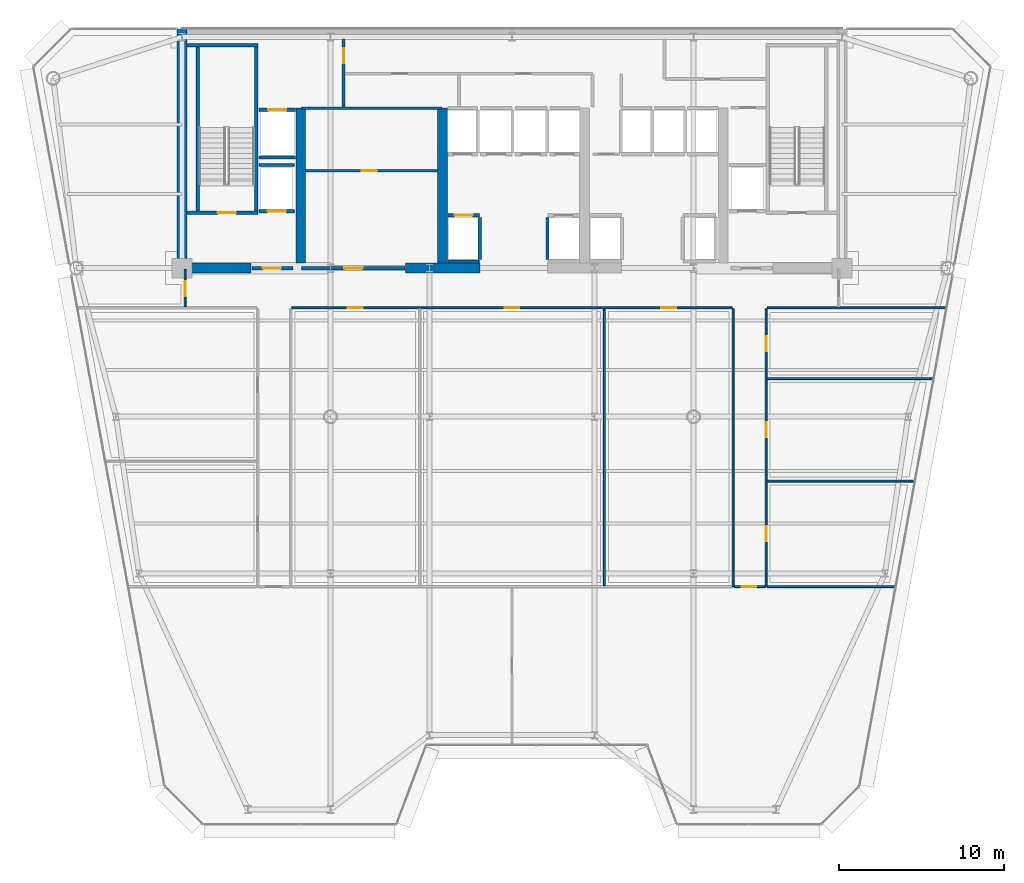
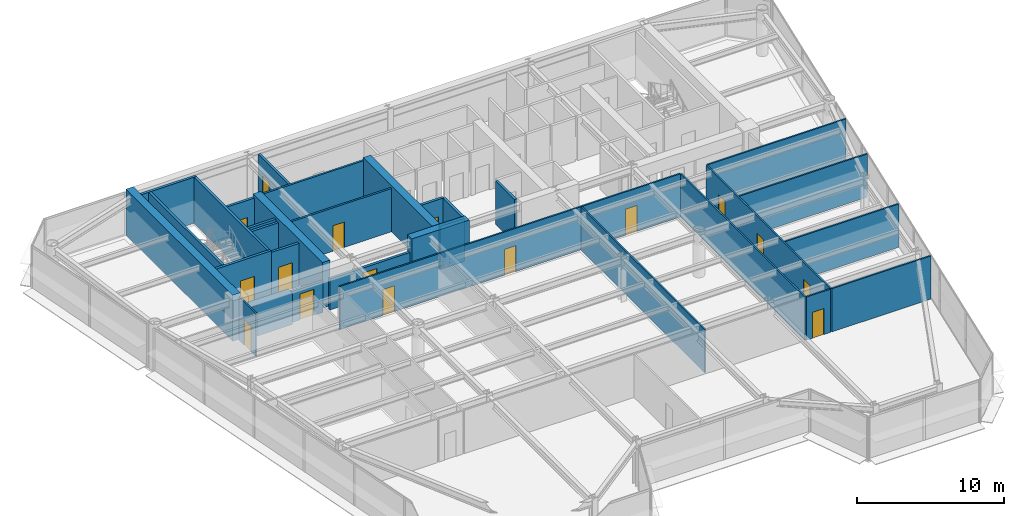
# One storey, part 11 of 17: 32 walls, 16 doors, 16 openings.
"""IFC4 building model written with IfcOpenShell, lengths in metres."""

from ifc_helpers import new_model, si_unit, direction, frame, frame_2d, origin, place, context, subcontext, project, spatial, rectangle, extrude, source, transform, mapped, material, layer, layer_set, type_object, element, fill, save


model = new_model("IFC4")

# Units and contexts
model_context = context("Model", 3, precision=1e-05, world=origin(), true_north=direction((0.0, 1.0)))
body_context = subcontext(model_context, "Body", "Model", "MODEL_VIEW")
ifc_project = project(units=[si_unit("LENGTHUNIT", "METRE"), si_unit("AREAUNIT", "SQUARE_METRE"), si_unit("VOLUMEUNIT", "CUBIC_METRE"), si_unit("PLANEANGLEUNIT", "RADIAN"), si_unit("MASSUNIT", "GRAM", prefix="KILO")], contexts=[model_context])

# Site, building, storey
site_placement = place(None, origin())
site = spatial("IfcSite", under=ifc_project, at=site_placement, CompositionType="ELEMENT")
building_placement = place(site_placement, origin())
building = spatial("IfcBuilding", under=site, at=building_placement, Name="Vaeldorn Concourse Tower", CompositionType="ELEMENT")
storey_placement = place(building_placement, frame((0.0, 0.0, 169.0)))
storey = spatial("IfcBuildingStorey", under=building, at=storey_placement, Name="L43", CompositionType="ELEMENT", Elevation=169.0)

# Walls
ifc_material_1 = material(Name="Concrete C50/60", Category="concrete")
ifc_layer_1 = layer(ifc_material_1, 0.60009765625)
ifc_layer_set_1 = layer_set([ifc_layer_1], Name="Concrete C50/60")
wall_type_1 = type_object("IfcWallType", Name="WL-CORE-600", PredefinedType="SHEAR", material=ifc_layer_set_1)
wall_1_placement = place(storey_placement, frame((14.0, 36.5, 0.0), z_axis=(0.0, 0.0, 1.0), x_axis=(0.0, 1.0, 0.0)))
element("IfcWall", 1, at=wall_1_placement, inside=storey, type_object=wall_type_1, Name="Rear Core Shear Wall L43 W1", PredefinedType="SHEAR", context=body_context, shape_type="SweptSolid", body=[
    extrude(rectangle(XDim=14.5, YDim=0.60009765625, at=frame_2d((7.25, 0.0))), origin(), (0.0, 0.0, 1.0), 3.800048828125),
])
wall_2_placement = place(storey_placement, frame((14.320068359375, 36.5, 0.0), z_axis=(0.0, 0.0, 1.0), x_axis=(1.0, 0.0, 0.0)))
element("IfcWall", 2, at=wall_2_placement, inside=storey, type_object=wall_type_1, Name="Rear Core Shear Wall L43 S1", PredefinedType="SHEAR", context=body_context, shape_type="SweptSolid", body=[
    extrude(rectangle(XDim=3.8798828125, YDim=0.60009765625, at=frame_2d((1.93994140625, 0.0))), origin(), (0.0, 0.0, 1.0), 2.580078125),
])
wall_3_placement = place(storey_placement, frame((27.550048828125, 36.5, 0.0), z_axis=(0.0, 0.0, 1.0), x_axis=(1.0, 0.0, 0.0)))
element("IfcWall", 3, at=wall_3_placement, inside=storey, type_object=wall_type_1, Name="Rear Core Shear Wall L43 S2", PredefinedType="SHEAR", context=body_context, shape_type="SweptSolid", body=[
    extrude(rectangle(XDim=4.5, YDim=0.60009765625, at=frame_2d((2.25, 0.0))), origin(), (0.0, 0.0, 1.0), 3.800048828125),
])
for number, where, z_axis, x_axis, name in (
    (4, (21.199951171875, 36.820068359375, 0.0), (0.0, 0.0, 1.0), (0.0, 1.0, 0.0), "Rear Core Shear Wall L43 M1"),
    (5, (29.800048828125, 36.820068359375, 0.0), (0.0, 0.0, 1.0), (0.0, 1.0, 0.0), "Rear Core Shear Wall L43 M2"),
):
    element("IfcWall", number, at=place(storey_placement, frame(where, z_axis=z_axis, x_axis=x_axis)), inside=storey, type_object=wall_type_1, Name=name, PredefinedType="SHEAR", context=body_context, shape_type="SweptSolid", body=[
        extrude(rectangle(XDim=9.3798828125, YDim=0.60009765625, at=frame_2d((4.68994140625, 0.0))), origin(), (0.0, 0.0, 1.0), 3.800048828125),
    ])

# Wall, openings, doors
ifc_material_2 = material(Name="Gypsum Board Partition", Category="gypsum")
ifc_layer_2 = layer(ifc_material_2, 0.1201171875)
ifc_layer_set_2 = layer_set([ifc_layer_2], Name="Gypsum Board Partition")
wall_type_2 = type_object("IfcWallType", Name="WL-PART-120", PredefinedType="PARTITIONING", material=ifc_layer_set_2)
wall_4_placement = place(storey_placement, frame((20.659912109375, 34.10009765625, 0.0), z_axis=(0.0, 0.0, 1.0), x_axis=(1.0, 0.0, 0.0)))
wall_4 = element("IfcWall", 6, at=wall_4_placement, inside=storey, type_object=wall_type_2, Name="Interior Wall PW-L43-CEWS", PredefinedType="PARTITIONING", context=body_context, shape_type="SweptSolid", body=[
    extrude(rectangle(XDim=26.68017578125, YDim=0.1201171875, at=frame_2d((13.340087890625, 0.0))), origin(), (0.0, 0.0, 1.0), 3.580078125),
])
opening_1_placement = place(wall_4_placement, frame((3.389892578125, 0.0, 0.0)))
opening_1 = element("IfcOpeningElement", 7, at=opening_1_placement, cuts=wall_4, Name="Opening D-03", PredefinedType="OPENING", context=body_context, shape_type="SweptSolid", body=[
    extrude(rectangle(XDim=0.89990234375, YDim=2.14990234375, at=frame_2d((0.449951171875, 1.074951171875))), frame((0.0, 0.070068359375, 0.0), z_axis=(0.0, -1.0, 0.0), x_axis=(1.0, 0.0, 0.0)), (0.0, 0.0, 1.0), 0.14013671875),
])
opening_2_placement = place(wall_4_placement, frame((12.889892578125, 0.0, 0.0)))
opening_2 = element("IfcOpeningElement", 8, at=opening_2_placement, cuts=wall_4, Name="Opening D-03", PredefinedType="OPENING", context=body_context, shape_type="SweptSolid", body=[
    extrude(rectangle(XDim=0.89990234375, YDim=2.14990234375, at=frame_2d((0.449951171875, 1.074951171875))), frame((0.0, 0.070068359375, 0.0), z_axis=(0.0, -1.0, 0.0), x_axis=(1.0, 0.0, 0.0)), (0.0, 0.0, 1.0), 0.14013671875),
])
opening_3_placement = place(wall_4_placement, frame((22.389892578125, 0.0, 0.0)))
opening_3 = element("IfcOpeningElement", 9, at=opening_3_placement, cuts=wall_4, Name="Opening D-03", PredefinedType="OPENING", context=body_context, shape_type="SweptSolid", body=[
    extrude(rectangle(XDim=0.89990234375, YDim=2.14990234375, at=frame_2d((0.449951171875, 1.074951171875))), frame((0.0, 0.070068359375, 0.0), z_axis=(0.0, -1.0, 0.0), x_axis=(1.0, 0.0, 0.0)), (0.0, 0.0, 1.0), 0.14013671875),
])
ifc_material_3 = material(Name="Acoustic Bronze-Framed Glass Door", Category="glass")
door_type_1 = type_object("IfcDoorType", Name="DR-INT-900", OperationType="NOTDEFINED", PredefinedType="DOOR", material=ifc_material_3)
shared_shape_1 = source(origin(), body_context, "Body", "SweptSolid", [
    extrude(rectangle(XDim=0.89990234375, YDim=2.14990234375, at=frame_2d((0.449951171875, 1.074951171875))), frame((0.0, 0.02490234375, 0.0), z_axis=(0.0, -1.0, 0.0), x_axis=(1.0, 0.0, 0.0)), (0.0, 0.0, 1.0), 0.050048828125),
])
door_1_placement = place(opening_1_placement, origin())
door_1 = element("IfcDoor", 10, at=door_1_placement, inside=storey, type_object=door_type_1, Name="Interior Door DR-L43-H1", OperationType="SINGLE_SWING_LEFT", OverallHeight=2.14990234375, OverallWidth=0.89990234375, PredefinedType="DOOR", context=body_context, shape_type="MappedRepresentation", body=[
    mapped(shared_shape_1, transform((0.0, 0.0, 0.0), scale=1.0)),
])
fill(opening_1, door_1)
door_2_placement = place(opening_2_placement, origin())
door_2 = element("IfcDoor", 11, at=door_2_placement, inside=storey, type_object=door_type_1, Name="Interior Door DR-L43-H2", OperationType="SINGLE_SWING_RIGHT", OverallHeight=2.14990234375, OverallWidth=0.89990234375, PredefinedType="DOOR", context=body_context, shape_type="MappedRepresentation", body=[
    mapped(shared_shape_1, transform((0.0, 0.0, 0.0), scale=1.0)),
])
fill(opening_2, door_2)
door_3_placement = place(opening_3_placement, origin())
door_3 = element("IfcDoor", 12, at=door_3_placement, inside=storey, type_object=door_type_1, Name="Interior Door DR-L43-H3", OperationType="SINGLE_SWING_LEFT", OverallHeight=2.14990234375, OverallWidth=0.89990234375, PredefinedType="DOOR", context=body_context, shape_type="MappedRepresentation", body=[
    mapped(shared_shape_1, transform((0.0, 0.0, 0.0), scale=1.0)),
])
fill(opening_3, door_3)

# Wall
wall_5_placement = place(storey_placement, frame((49.4599609375, 34.10009765625, 0.0), z_axis=(0.0, 0.0, 1.0), x_axis=(1.0, 0.0, 0.0)))
element("IfcWall", 13, at=wall_5_placement, inside=storey, type_object=wall_type_2, Name="Interior Wall PW-L43-CEWE", PredefinedType="PARTITIONING", context=body_context, shape_type="SweptSolid", body=[
    extrude(rectangle(XDim=10.8369140625, YDim=0.1201171875, at=frame_2d((5.41845703125, 0.0))), origin(), (0.0, 0.0, 1.0), 3.580078125),
])

# Wall, opening, door
wall_6_placement = place(storey_placement, frame((14.199951171875, 34.159912109375, 0.0), z_axis=(0.0, 0.0, 1.0), x_axis=(0.0, 1.0, 0.0)))
wall_6 = element("IfcWall", 14, at=wall_6_placement, inside=storey, type_object=wall_type_2, Name="Interior Wall PW-L43-CWWT", PredefinedType="PARTITIONING", context=body_context, shape_type="SweptSolid", body=[
    extrude(rectangle(XDim=2.280029296875, YDim=0.1201171875, at=frame_2d((1.14013671875, 0.0))), origin(), (0.0, 0.0, 1.0), 3.580078125),
])
opening_4_placement = place(wall_6_placement, frame((0.64990234375, 0.0, 0.0)))
opening_4 = element("IfcOpeningElement", 15, at=opening_4_placement, cuts=wall_6, Name="Opening D-03", PredefinedType="OPENING", context=body_context, shape_type="SweptSolid", body=[
    extrude(rectangle(XDim=0.89990234375, YDim=2.14990234375, at=frame_2d((0.449951171875, 1.074951171875))), frame((0.0, 0.070068359375, 0.0), z_axis=(0.0, -1.0, 0.0), x_axis=(1.0, 0.0, 0.0)), (0.0, 0.0, 1.0), 0.14013671875),
])
door_4_placement = place(opening_4_placement, origin())
door_4 = element("IfcDoor", 16, at=door_4_placement, inside=storey, type_object=door_type_1, Name="Interior Door DR-L43-NW1", OperationType="SINGLE_SWING_LEFT", OverallHeight=2.14990234375, OverallWidth=0.89990234375, PredefinedType="DOOR", context=body_context, shape_type="MappedRepresentation", body=[
    mapped(shared_shape_1, transform((0.0, 0.0, 0.0), scale=1.0)),
])
fill(opening_4, door_4)

# Wall
wall_7_placement = place(storey_placement, frame((47.39990234375, 17.199951171875, 0.0), z_axis=(0.0, 0.0, 1.0), x_axis=(0.0, 1.0, 0.0)))
element("IfcWall", 17, at=wall_7_placement, inside=storey, type_object=wall_type_2, Name="Interior Wall PW-L43-CEW", PredefinedType="PARTITIONING", context=body_context, shape_type="SweptSolid", body=[
    extrude(rectangle(XDim=16.840087890625, YDim=0.1201171875, at=frame_2d((8.419921875, 0.0))), origin(), (0.0, 0.0, 1.0), 3.580078125),
])

# Wall, openings, doors
wall_8_placement = place(storey_placement, frame((49.39990234375, 17.199951171875, 0.0), z_axis=(0.0, 0.0, 1.0), x_axis=(0.0, 1.0, 0.0)))
wall_8 = element("IfcWall", 18, at=wall_8_placement, inside=storey, type_object=wall_type_2, Name="Interior Wall PW-L43-CEE", PredefinedType="PARTITIONING", context=body_context, shape_type="SweptSolid", body=[
    extrude(rectangle(XDim=16.840087890625, YDim=0.1201171875, at=frame_2d((8.419921875, 0.0))), origin(), (0.0, 0.0, 1.0), 3.580078125),
])
opening_5_placement = place(wall_8_placement, frame((2.75, 0.0, 0.0)))
opening_5 = element("IfcOpeningElement", 19, at=opening_5_placement, cuts=wall_8, Name="Opening D-03", PredefinedType="OPENING", context=body_context, shape_type="SweptSolid", body=[
    extrude(rectangle(XDim=0.89990234375, YDim=2.14990234375, at=frame_2d((0.449951171875, 1.074951171875))), frame((0.0, 0.070068359375, 0.0), z_axis=(0.0, -1.0, 0.0), x_axis=(1.0, 0.0, 0.0)), (0.0, 0.0, 1.0), 0.14013671875),
])
opening_6_placement = place(wall_8_placement, frame((9.050048828125, 0.0, 0.0)))
opening_6 = element("IfcOpeningElement", 20, at=opening_6_placement, cuts=wall_8, Name="Opening D-03", PredefinedType="OPENING", context=body_context, shape_type="SweptSolid", body=[
    extrude(rectangle(XDim=0.89990234375, YDim=2.14990234375, at=frame_2d((0.449951171875, 1.074951171875))), frame((0.0, 0.070068359375, 0.0), z_axis=(0.0, -1.0, 0.0), x_axis=(1.0, 0.0, 0.0)), (0.0, 0.0, 1.0), 0.14013671875),
])
opening_7_placement = place(wall_8_placement, frame((14.27001953125, 0.0, 0.0)))
opening_7 = element("IfcOpeningElement", 21, at=opening_7_placement, cuts=wall_8, Name="Opening D-03", PredefinedType="OPENING", context=body_context, shape_type="SweptSolid", body=[
    extrude(rectangle(XDim=0.89990234375, YDim=2.14990234375, at=frame_2d((0.449951171875, 1.074951171875))), frame((0.0, 0.070068359375, 0.0), z_axis=(0.0, -1.0, 0.0), x_axis=(1.0, 0.0, 0.0)), (0.0, 0.0, 1.0), 0.14013671875),
])
door_5_placement = place(opening_5_placement, origin())
door_5 = element("IfcDoor", 22, at=door_5_placement, inside=storey, type_object=door_type_1, Name="Interior Door DR-L43-E1", OperationType="SINGLE_SWING_RIGHT", OverallHeight=2.14990234375, OverallWidth=0.89990234375, PredefinedType="DOOR", context=body_context, shape_type="MappedRepresentation", body=[
    mapped(shared_shape_1, transform((0.0, 0.0, 0.0), scale=1.0)),
])
fill(opening_5, door_5)
door_6_placement = place(opening_6_placement, origin())
door_6 = element("IfcDoor", 23, at=door_6_placement, inside=storey, type_object=door_type_1, Name="Interior Door DR-L43-E2", OperationType="SINGLE_SWING_LEFT", OverallHeight=2.14990234375, OverallWidth=0.89990234375, PredefinedType="DOOR", context=body_context, shape_type="MappedRepresentation", body=[
    mapped(shared_shape_1, transform((0.0, 0.0, 0.0), scale=1.0)),
])
fill(opening_6, door_6)
door_7_placement = place(opening_7_placement, origin())
door_7 = element("IfcDoor", 24, at=door_7_placement, inside=storey, type_object=door_type_1, Name="Interior Door DR-L43-E3", OperationType="SINGLE_SWING_RIGHT", OverallHeight=2.14990234375, OverallWidth=0.89990234375, PredefinedType="DOOR", context=body_context, shape_type="MappedRepresentation", body=[
    mapped(shared_shape_1, transform((0.0, 0.0, 0.0), scale=1.0)),
])
fill(opening_7, door_7)

# Wall, opening, door
wall_9_placement = place(storey_placement, frame((47.4599609375, 17.199951171875, 0.0), z_axis=(0.0, 0.0, 1.0), x_axis=(1.0, 0.0, 0.0)))
wall_9 = element("IfcWall", 25, at=wall_9_placement, inside=storey, type_object=wall_type_2, Name="Interior Wall PW-L43-CES", PredefinedType="PARTITIONING", context=body_context, shape_type="SweptSolid", body=[
    extrude(rectangle(XDim=1.880126953125, YDim=0.1201171875, at=frame_2d((0.93994140625, 0.0))), origin(), (0.0, 0.0, 1.0), 3.580078125),
])
opening_8_placement = place(wall_9_placement, frame((0.449951171875, 0.0, 0.0)))
opening_8 = element("IfcOpeningElement", 26, at=opening_8_placement, cuts=wall_9, Name="Opening D-03", PredefinedType="OPENING", context=body_context, shape_type="SweptSolid", body=[
    extrude(rectangle(XDim=0.89990234375, YDim=2.14990234375, at=frame_2d((0.449951171875, 1.074951171875))), frame((0.0, 0.070068359375, 0.0), z_axis=(0.0, -1.0, 0.0), x_axis=(1.0, 0.0, 0.0)), (0.0, 0.0, 1.0), 0.14013671875),
])
door_8_placement = place(opening_8_placement, origin())
door_8 = element("IfcDoor", 27, at=door_8_placement, inside=storey, type_object=door_type_1, Name="Interior Door DR-L43-SEL", OperationType="SINGLE_SWING_RIGHT", OverallHeight=2.14990234375, OverallWidth=0.89990234375, PredefinedType="DOOR", context=body_context, shape_type="MappedRepresentation", body=[
    mapped(shared_shape_1, transform((0.0, 0.0, 0.0), scale=1.0)),
])
fill(opening_8, door_8)

# Walls
wall_10_placement = place(storey_placement, frame((49.4599609375, 17.199951171875, 0.0), z_axis=(0.0, 0.0, 1.0), x_axis=(1.0, 0.0, 0.0)))
element("IfcWall", 28, at=wall_10_placement, inside=storey, type_object=wall_type_2, Name="Interior Wall PW-L43-EY0", PredefinedType="PARTITIONING", context=body_context, shape_type="SweptSolid", body=[
    extrude(rectangle(XDim=7.754150390625, YDim=0.1201171875, at=frame_2d((3.876953125, 0.0))), origin(), (0.0, 0.0, 1.0), 3.580078125),
])
wall_11_placement = place(storey_placement, frame((49.4599609375, 23.60009765625, 0.0), z_axis=(0.0, 0.0, 1.0), x_axis=(1.0, 0.0, 0.0)))
element("IfcWall", 29, at=wall_11_placement, inside=storey, type_object=wall_type_2, Name="Interior Wall PW-L43-EY1", PredefinedType="PARTITIONING", context=body_context, shape_type="SweptSolid", body=[
    extrude(rectangle(XDim=8.921630859375, YDim=0.1201171875, at=frame_2d((4.4609375, 0.0))), origin(), (0.0, 0.0, 1.0), 3.580078125),
])
wall_12_placement = place(storey_placement, frame((49.4599609375, 29.800048828125, 0.0), z_axis=(0.0, 0.0, 1.0), x_axis=(1.0, 0.0, 0.0)))
element("IfcWall", 30, at=wall_12_placement, inside=storey, type_object=wall_type_2, Name="Interior Wall PW-L43-EY2", PredefinedType="PARTITIONING", context=body_context, shape_type="SweptSolid", body=[
    extrude(rectangle(XDim=10.052490234375, YDim=0.1201171875, at=frame_2d((5.0263671875, 0.0))), origin(), (0.0, 0.0, 1.0), 3.580078125),
])
wall_13_placement = place(storey_placement, frame((39.60009765625, 17.260009765625, 0.0), z_axis=(0.0, 0.0, 1.0), x_axis=(0.0, 1.0, 0.0)))
element("IfcWall", 31, at=wall_13_placement, inside=storey, type_object=wall_type_2, Name="Interior Wall PW-L43-HX2", PredefinedType="PARTITIONING", context=body_context, shape_type="SweptSolid", body=[
    extrude(rectangle(XDim=16.780029296875, YDim=0.1201171875, at=frame_2d((8.39013671875, 0.0))), origin(), (0.0, 0.0, 1.0), 3.580078125),
])
ifc_layer_3 = layer(ifc_material_2, 0.14990234375)
ifc_layer_set_3 = layer_set([ifc_layer_3], Name="Gypsum Board Partition")
wall_type_3 = type_object("IfcWallType", Name="WL-PART-150", PredefinedType="PARTITIONING", material=ifc_layer_set_3)
wall_14_placement = place(storey_placement, frame((21.25, 46.199951171875, 0.0), z_axis=(0.0, 0.0, 1.0), x_axis=(1.0, 0.0, 0.0)))
element("IfcWall", 32, at=wall_14_placement, inside=storey, type_object=wall_type_3, Name="Interior Wall CW-L43-R1N", PredefinedType="PARTITIONING", context=body_context, shape_type="SweptSolid", body=[
    extrude(rectangle(XDim=8.5, YDim=0.14990234375, at=frame_2d((4.25, 0.0))), origin(), (0.0, 0.0, 1.0), 3.580078125),
])

# Wall, opening, door
wall_15_placement = place(storey_placement, frame((21.5, 42.39990234375, 0.0), z_axis=(0.0, 0.0, 1.0), x_axis=(1.0, 0.0, 0.0)))
wall_15 = element("IfcWall", 33, at=wall_15_placement, inside=storey, type_object=wall_type_3, Name="Interior Wall CW-L43-R1M", PredefinedType="PARTITIONING", context=body_context, shape_type="SweptSolid", body=[
    extrude(rectangle(XDim=8.0, YDim=0.14990234375, at=frame_2d((4.0, 0.0))), origin(), (0.0, 0.0, 1.0), 3.580078125),
])
opening_9_placement = place(wall_15_placement, frame((3.39990234375, 0.0, 0.0)))
opening_9 = element("IfcOpeningElement", 34, at=opening_9_placement, cuts=wall_15, Name="Opening D-02", PredefinedType="OPENING", context=body_context, shape_type="SweptSolid", body=[
    extrude(rectangle(XDim=0.89990234375, YDim=2.10009765625, at=frame_2d((0.449951171875, 1.050048828125))), frame((0.0, 0.0849609375, 0.0), z_axis=(0.0, -1.0, 0.0), x_axis=(1.0, 0.0, 0.0)), (0.0, 0.0, 1.0), 0.169921875),
])
ifc_material_4 = material(Name="Fire-Rated Timber Leaf", Category="wood")
door_type_2 = type_object("IfcDoorType", Name="DR-FD30-900", OperationType="NOTDEFINED", PredefinedType="DOOR", material=ifc_material_4)
shared_shape_2 = source(origin(), body_context, "Body", "SweptSolid", [
    extrude(rectangle(XDim=0.89990234375, YDim=2.10009765625, at=frame_2d((0.449951171875, 1.050048828125))), frame((0.0, 0.02490234375, 0.0), z_axis=(0.0, -1.0, 0.0), x_axis=(1.0, 0.0, 0.0)), (0.0, 0.0, 1.0), 0.050048828125),
])
door_9_placement = place(opening_9_placement, origin())
door_9 = element("IfcDoor", 35, at=door_9_placement, inside=storey, type_object=door_type_2, Name="Interior Door DR-L43-R1M", OperationType="SINGLE_SWING_RIGHT", OverallHeight=2.10009765625, OverallWidth=0.89990234375, PredefinedType="DOOR", context=body_context, shape_type="MappedRepresentation", body=[
    mapped(shared_shape_2, transform((0.0, 0.0, 0.0), scale=1.0)),
])
fill(opening_9, door_9)

ifc_layer_4 = layer(ifc_material_2, 0.179931640625)
ifc_layer_set_4 = layer_set([ifc_layer_4], Name="Gypsum Board Partition")
wall_type_4 = type_object("IfcWallType", Name="WL-PLUMB-180", PredefinedType="PLUMBINGWALL", material=ifc_layer_set_4)
wall_16_placement = place(storey_placement, frame((23.800048828125, 46.280029296875, 0.0), z_axis=(0.0, 0.0, 1.0), x_axis=(0.0, 1.0, 0.0)))
wall_16 = element("IfcWall", 36, at=wall_16_placement, inside=storey, type_object=wall_type_4, Name="Interior Wall CW-L43-SDIV1", PredefinedType="PLUMBINGWALL", context=body_context, shape_type="SweptSolid", body=[
    extrude(rectangle(XDim=4.099853515625, YDim=0.179931640625, at=frame_2d((2.0498046875, 0.0))), origin(), (0.0, 0.0, 1.0), 3.580078125),
])
opening_10_placement = place(wall_16_placement, frame((2.635009765625, 0.0, 0.0)))
opening_10 = element("IfcOpeningElement", 37, at=opening_10_placement, cuts=wall_16, Name="Opening D-03", PredefinedType="OPENING", context=body_context, shape_type="SweptSolid", body=[
    extrude(rectangle(XDim=0.89990234375, YDim=2.14990234375, at=frame_2d((0.449951171875, 1.074951171875))), frame((0.0, 0.10009765625, 0.0), z_axis=(0.0, -1.0, 0.0), x_axis=(1.0, 0.0, 0.0)), (0.0, 0.0, 1.0), 0.199951171875),
])
door_10_placement = place(opening_10_placement, origin())
door_10 = element("IfcDoor", 38, at=door_10_placement, inside=storey, type_object=door_type_1, Name="Interior Door DR-L43-CS1", OperationType="SINGLE_SWING_LEFT", OverallHeight=2.14990234375, OverallWidth=0.89990234375, PredefinedType="DOOR", context=body_context, shape_type="MappedRepresentation", body=[
    mapped(shared_shape_1, transform((0.0, 0.0, 0.0), scale=1.0)),
])
fill(opening_10, door_10)

ifc_layer_5 = layer(ifc_material_1, 0.199951171875)
ifc_layer_set_5 = layer_set([ifc_layer_5], Name="Concrete C50/60")
wall_type_5 = type_object("IfcWallType", Name="WL-SHAFT-200", PredefinedType="SOLIDWALL", material=ifc_layer_set_5)
wall_17_placement = place(storey_placement, frame((14.300048828125, 39.85009765625, 0.0), z_axis=(0.0, 0.0, 1.0), x_axis=(1.0, 0.0, 0.0)))
wall_17 = element("IfcWall", 39, at=wall_17_placement, inside=storey, type_object=wall_type_5, Name="Stair Shaft Wall CW-L43-ST-1-S", PredefinedType="SOLIDWALL", context=body_context, shape_type="SweptSolid", body=[
    extrude(rectangle(XDim=4.300048828125, YDim=0.199951171875, at=frame_2d((2.14990234375, 0.0))), origin(), (0.0, 0.0, 1.0), 3.800048828125),
])
opening_11_placement = place(wall_17_placement, frame((1.875, 0.0, 0.0)))
opening_11 = element("IfcOpeningElement", 40, at=opening_11_placement, cuts=wall_17, Name="Opening D-01", PredefinedType="OPENING", context=body_context, shape_type="SweptSolid", body=[
    extrude(rectangle(XDim=1.10009765625, YDim=2.14990234375, at=frame_2d((0.550048828125, 1.074951171875))), frame((0.0, 0.10986328125, 0.0), z_axis=(0.0, -1.0, 0.0), x_axis=(1.0, 0.0, 0.0)), (0.0, 0.0, 1.0), 0.219970703125),
])
ifc_material_5 = material(Name="Fire-Rated Timber and Steel Leaf", Category="steel")
door_type_3 = type_object("IfcDoorType", Name="DR-FD60-1100", OperationType="NOTDEFINED", PredefinedType="DOOR", material=ifc_material_5)
shared_shape_3 = source(origin(), body_context, "Body", "SweptSolid", [
    extrude(rectangle(XDim=1.10009765625, YDim=2.14990234375, at=frame_2d((0.550048828125, 1.074951171875))), frame((0.0, 0.02490234375, 0.0), z_axis=(0.0, -1.0, 0.0), x_axis=(1.0, 0.0, 0.0)), (0.0, 0.0, 1.0), 0.050048828125),
])
door_11_placement = place(opening_11_placement, origin())
door_11 = element("IfcDoor", 41, at=door_11_placement, inside=storey, type_object=door_type_3, Name="Interior Door DR-L43-ST-1", OperationType="SINGLE_SWING_LEFT", OverallHeight=2.14990234375, OverallWidth=1.10009765625, PredefinedType="DOOR", context=body_context, shape_type="MappedRepresentation", body=[
    mapped(shared_shape_3, transform((0.0, 0.0, 0.0), scale=1.0)),
])
fill(opening_11, door_11)

# Walls
wall_18_placement = place(storey_placement, frame((14.300048828125, 50.0, 0.0), z_axis=(0.0, 0.0, 1.0), x_axis=(1.0, 0.0, 0.0)))
element("IfcWall", 42, at=wall_18_placement, inside=storey, type_object=wall_type_5, Name="Stair Shaft Wall CW-L43-ST-1-N", PredefinedType="SOLIDWALL", context=body_context, shape_type="SweptSolid", body=[
    extrude(rectangle(XDim=4.300048828125, YDim=0.199951171875, at=frame_2d((2.14990234375, 0.0))), origin(), (0.0, 0.0, 1.0), 3.800048828125),
])
for number, where, z_axis, x_axis, name in (
    (43, (14.949951171875, 39.9599609375, 0.0), (0.0, 0.0, 1.0), (0.0, 1.0, 0.0), "Stair Shaft Wall CW-L43-ST-1-W"),
    (44, (18.5, 39.9599609375, 0.0), (0.0, 0.0, 1.0), (0.0, 1.0, 0.0), "Stair Shaft Wall CW-L43-ST-1-E"),
):
    element("IfcWall", number, at=place(storey_placement, frame(where, z_axis=z_axis, x_axis=x_axis)), inside=storey, type_object=wall_type_5, Name=name, PredefinedType="SOLIDWALL", context=body_context, shape_type="SweptSolid", body=[
        extrude(rectangle(XDim=9.929931640625, YDim=0.199951171875, at=frame_2d((4.96484375, 0.0))), origin(), (0.0, 0.0, 1.0), 3.800048828125),
    ])

# Wall, opening, door
wall_19_placement = place(storey_placement, frame((18.25, 36.5, 0.0), z_axis=(0.0, 0.0, 1.0), x_axis=(1.0, 0.0, 0.0)))
wall_19 = element("IfcWall", 45, at=wall_19_placement, inside=storey, type_object=wall_type_5, Name="Interior Wall CW-L43-FF1S", PredefinedType="SOLIDWALL", context=body_context, shape_type="SweptSolid", body=[
    extrude(rectangle(XDim=2.469970703125, YDim=0.199951171875, at=frame_2d((1.23486328125, 0.0))), origin(), (0.0, 0.0, 1.0), 2.570068359375),
])
opening_12_placement = place(wall_19_placement, frame((0.64990234375, 0.0, 0.0)))
opening_12 = element("IfcOpeningElement", 46, at=opening_12_placement, cuts=wall_19, Name="Opening D-01", PredefinedType="OPENING", context=body_context, shape_type="SweptSolid", body=[
    extrude(rectangle(XDim=1.10009765625, YDim=2.14990234375, at=frame_2d((0.550048828125, 1.074951171875))), frame((0.0, 0.10986328125, 0.0), z_axis=(0.0, -1.0, 0.0), x_axis=(1.0, 0.0, 0.0)), (0.0, 0.0, 1.0), 0.219970703125),
])
door_12_placement = place(opening_12_placement, origin())
door_12 = element("IfcDoor", 47, at=door_12_placement, inside=storey, type_object=door_type_3, Name="Interior Door DR-L43-FF1E", OperationType="SINGLE_SWING_RIGHT", OverallHeight=2.14990234375, OverallWidth=1.10009765625, PredefinedType="DOOR", context=body_context, shape_type="MappedRepresentation", body=[
    mapped(shared_shape_3, transform((0.0, 0.0, 0.0), scale=1.0)),
])
fill(opening_12, door_12)

wall_20_placement = place(storey_placement, frame((30.110107421875, 39.699951171875, 0.0), z_axis=(0.0, 0.0, 1.0), x_axis=(1.0, 0.0, 0.0)))
wall_20 = element("IfcWall", 48, at=wall_20_placement, inside=storey, type_object=wall_type_5, Name="Interior Wall CW-L43-LF-LF-07", PredefinedType="SOLIDWALL", context=body_context, shape_type="SweptSolid", body=[
    extrude(rectangle(XDim=1.919921875, YDim=0.199951171875, at=frame_2d((0.9599609375, 0.0))), origin(), (0.0, 0.0, 1.0), 3.580078125),
])
opening_13_placement = place(wall_20_placement, frame((0.409912109375, 0.0, 0.0)))
opening_13 = element("IfcOpeningElement", 49, at=opening_13_placement, cuts=wall_20, Name="Opening LD-1", PredefinedType="OPENING", context=body_context, shape_type="SweptSolid", body=[
    extrude(rectangle(XDim=1.10009765625, YDim=2.14990234375, at=frame_2d((0.550048828125, 1.074951171875))), frame((0.0, 0.10986328125, 0.0), z_axis=(0.0, -1.0, 0.0), x_axis=(1.0, 0.0, 0.0)), (0.0, 0.0, 1.0), 0.219970703125),
])
ifc_material_6 = material(Name="Anodised Bronze Aluminium", Category="aluminium")
door_type_4 = type_object("IfcDoorType", Name="DR-LIFT-SLIDE-1100", OperationType="DOUBLE_DOOR_SLIDING", PredefinedType="DOOR", material=ifc_material_6)
door_13_placement = place(opening_13_placement, origin())
door_13 = element("IfcDoor", 50, at=door_13_placement, inside=storey, type_object=door_type_4, Name="Lift Landing Door LD-L43-LF-07", OperationType="DOUBLE_DOOR_SLIDING", OverallHeight=2.14990234375, OverallWidth=1.10009765625, PredefinedType="DOOR", context=body_context, shape_type="MappedRepresentation", body=[
    mapped(shared_shape_3, transform((0.0, 0.0, 0.0), scale=1.0)),
])
fill(opening_13, door_13)

# Walls
wall_21_placement = place(storey_placement, frame((30.110107421875, 36.89990234375, 0.0), z_axis=(0.0, 0.0, 1.0), x_axis=(1.0, 0.0, 0.0)))
element("IfcWall", 51, at=wall_21_placement, inside=storey, type_object=wall_type_5, Name="Interior Wall CW-L43-LFB-LF-07", PredefinedType="SOLIDWALL", context=body_context, shape_type="SweptSolid", body=[
    extrude(rectangle(XDim=1.919921875, YDim=0.199951171875, at=frame_2d((0.9599609375, 0.0))), origin(), (0.0, 0.0, 1.0), 3.580078125),
])
for number, where, z_axis, x_axis, name in (
    (52, (32.050048828125, 37.02001953125, 0.0), (0.0, 0.0, 1.0), (0.0, 1.0, 0.0), "Interior Wall CW-L43-LFE-LF-07"),
    (53, (36.14990234375, 37.02001953125, 0.0), (0.0, 0.0, 1.0), (0.0, 1.0, 0.0), "Interior Wall CW-L43-LFW-LF-08"),
):
    element("IfcWall", number, at=place(storey_placement, frame(where, z_axis=z_axis, x_axis=x_axis)), inside=storey, type_object=wall_type_5, Name=name, PredefinedType="SOLIDWALL", context=body_context, shape_type="SweptSolid", body=[
        extrude(rectangle(XDim=2.56005859375, YDim=0.199951171875, at=frame_2d((1.280029296875, 0.0))), origin(), (0.0, 0.0, 1.0), 3.580078125),
    ])

# Wall, opening, door
wall_22_placement = place(storey_placement, frame((18.669921875, 46.10009765625, 0.0), z_axis=(0.0, 0.0, 1.0), x_axis=(1.0, 0.0, 0.0)))
wall_22 = element("IfcWall", 54, at=wall_22_placement, inside=storey, type_object=wall_type_5, Name="Interior Wall CW-L43-LF-LF-SV1", PredefinedType="SOLIDWALL", context=body_context, shape_type="SweptSolid", body=[
    extrude(rectangle(XDim=2.219970703125, YDim=0.199951171875, at=frame_2d((1.10986328125, 0.0))), origin(), (0.0, 0.0, 1.0), 3.580078125),
])
opening_14_placement = place(wall_22_placement, frame((0.56005859375, 0.0, 0.0)))
opening_14 = element("IfcOpeningElement", 55, at=opening_14_placement, cuts=wall_22, Name="Opening LD-1", PredefinedType="OPENING", context=body_context, shape_type="SweptSolid", body=[
    extrude(rectangle(XDim=1.10009765625, YDim=2.14990234375, at=frame_2d((0.550048828125, 1.074951171875))), frame((0.0, 0.10986328125, 0.0), z_axis=(0.0, -1.0, 0.0), x_axis=(1.0, 0.0, 0.0)), (0.0, 0.0, 1.0), 0.219970703125),
])
door_14_placement = place(opening_14_placement, origin())
door_14 = element("IfcDoor", 56, at=door_14_placement, inside=storey, type_object=door_type_4, Name="Lift Landing Door LD-L43-LF-SV1", OperationType="DOUBLE_DOOR_SLIDING", OverallHeight=2.14990234375, OverallWidth=1.10009765625, PredefinedType="DOOR", context=body_context, shape_type="MappedRepresentation", body=[
    mapped(shared_shape_3, transform((0.0, 0.0, 0.0), scale=1.0)),
])
fill(opening_14, door_14)

# Wall
wall_23_placement = place(storey_placement, frame((18.669921875, 43.199951171875, 0.0), z_axis=(0.0, 0.0, 1.0), x_axis=(1.0, 0.0, 0.0)))
element("IfcWall", 57, at=wall_23_placement, inside=storey, type_object=wall_type_5, Name="Interior Wall CW-L43-LFB-LF-SV1", PredefinedType="SOLIDWALL", context=body_context, shape_type="SweptSolid", body=[
    extrude(rectangle(XDim=2.219970703125, YDim=0.199951171875, at=frame_2d((1.10986328125, 0.0))), origin(), (0.0, 0.0, 1.0), 3.580078125),
])

# Wall, opening, door
wall_24_placement = place(storey_placement, frame((18.669921875, 39.949951171875, 0.0), z_axis=(0.0, 0.0, 1.0), x_axis=(1.0, 0.0, 0.0)))
wall_24 = element("IfcWall", 58, at=wall_24_placement, inside=storey, type_object=wall_type_5, Name="Interior Wall CW-L43-LF-LF-FF1", PredefinedType="SOLIDWALL", context=body_context, shape_type="SweptSolid", body=[
    extrude(rectangle(XDim=2.16015625, YDim=0.199951171875, at=frame_2d((1.080078125, 0.0))), origin(), (0.0, 0.0, 1.0), 3.580078125),
])
opening_15_placement = place(wall_24_placement, frame((0.530029296875, 0.0, 0.0)))
opening_15 = element("IfcOpeningElement", 59, at=opening_15_placement, cuts=wall_24, Name="Opening LD-1", PredefinedType="OPENING", context=body_context, shape_type="SweptSolid", body=[
    extrude(rectangle(XDim=1.10009765625, YDim=2.14990234375, at=frame_2d((0.550048828125, 1.074951171875))), frame((0.0, 0.10986328125, 0.0), z_axis=(0.0, -1.0, 0.0), x_axis=(1.0, 0.0, 0.0)), (0.0, 0.0, 1.0), 0.219970703125),
])
door_15_placement = place(opening_15_placement, origin())
door_15 = element("IfcDoor", 60, at=door_15_placement, inside=storey, type_object=door_type_4, Name="Lift Landing Door LD-L43-LF-FF1", OperationType="DOUBLE_DOOR_SLIDING", OverallHeight=2.14990234375, OverallWidth=1.10009765625, PredefinedType="DOOR", context=body_context, shape_type="MappedRepresentation", body=[
    mapped(shared_shape_3, transform((0.0, 0.0, 0.0), scale=1.0)),
])
fill(opening_15, door_15)

# Wall
wall_25_placement = place(storey_placement, frame((18.669921875, 42.75, 0.0), z_axis=(0.0, 0.0, 1.0), x_axis=(1.0, 0.0, 0.0)))
element("IfcWall", 61, at=wall_25_placement, inside=storey, type_object=wall_type_5, Name="Interior Wall CW-L43-LFB-LF-FF1", PredefinedType="SOLIDWALL", context=body_context, shape_type="SweptSolid", body=[
    extrude(rectangle(XDim=2.16015625, YDim=0.199951171875, at=frame_2d((1.080078125, 0.0))), origin(), (0.0, 0.0, 1.0), 3.580078125),
])

# Wall, opening, door
wall_26_placement = place(storey_placement, frame((21.25, 36.5, 0.0), z_axis=(0.0, 0.0, 1.0), x_axis=(1.0, 0.0, 0.0)))
wall_26 = element("IfcWall", 62, at=wall_26_placement, inside=storey, type_object=wall_type_5, Name="Interior Wall CW-L43-R1S", PredefinedType="SOLIDWALL", context=body_context, shape_type="SweptSolid", body=[
    extrude(rectangle(XDim=6.27001953125, YDim=0.199951171875, at=frame_2d((3.135009765625, 0.0))), origin(), (0.0, 0.0, 1.0), 2.570068359375),
])
opening_16_placement = place(wall_26_placement, frame((2.60009765625, 0.0, 0.0)))
opening_16 = element("IfcOpeningElement", 63, at=opening_16_placement, cuts=wall_26, Name="Opening D-01", PredefinedType="OPENING", context=body_context, shape_type="SweptSolid", body=[
    extrude(rectangle(XDim=1.10009765625, YDim=2.14990234375, at=frame_2d((0.550048828125, 1.074951171875))), frame((0.0, 0.10986328125, 0.0), z_axis=(0.0, -1.0, 0.0), x_axis=(1.0, 0.0, 0.0)), (0.0, 0.0, 1.0), 0.219970703125),
])
door_16_placement = place(opening_16_placement, origin())
door_16 = element("IfcDoor", 64, at=door_16_placement, inside=storey, type_object=door_type_3, Name="Interior Door DR-L43-R1S", OperationType="SINGLE_SWING_LEFT", OverallHeight=2.14990234375, OverallWidth=1.10009765625, PredefinedType="DOOR", context=body_context, shape_type="MappedRepresentation", body=[
    mapped(shared_shape_3, transform((0.0, 0.0, 0.0), scale=1.0)),
])
fill(opening_16, door_16)

save(model, "model.ifc")
